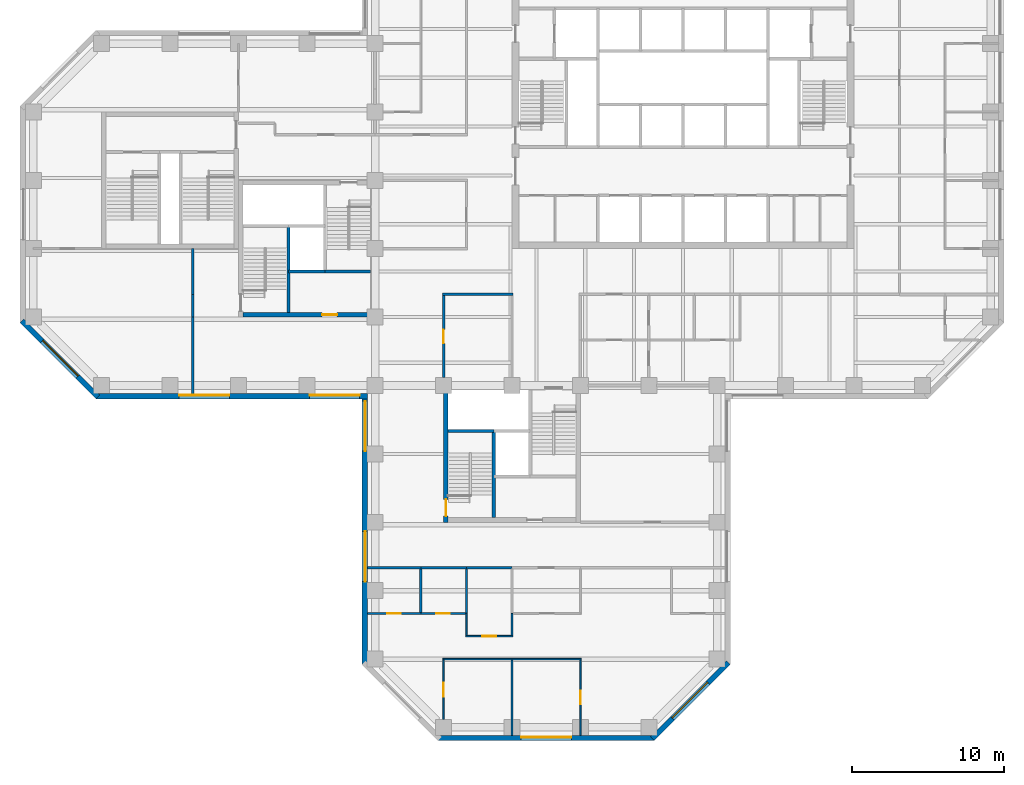
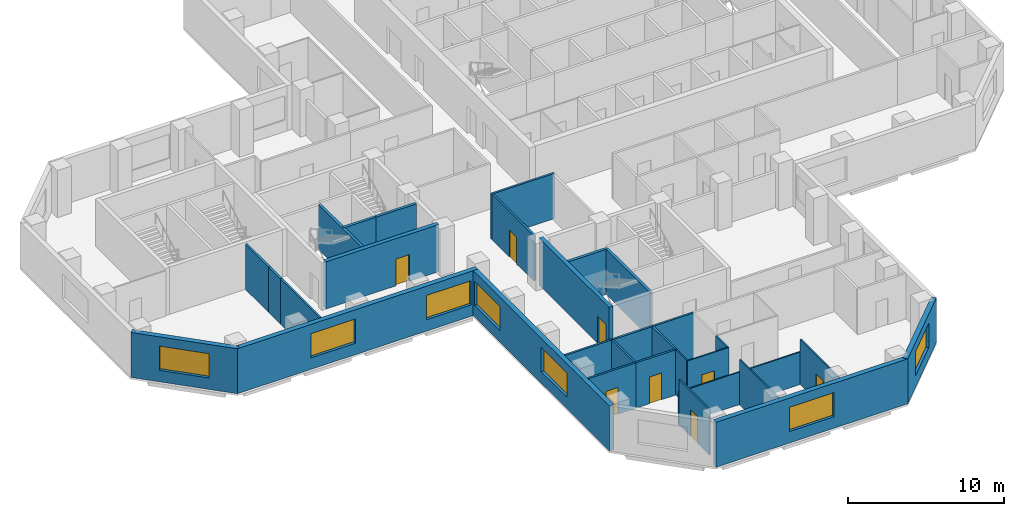
# One storey, part 3 of 10: 32 walls, 8 doors, 7 windows, 15 openings.
"""IFC4 building model written with IfcOpenShell, lengths in metres."""

from ifc_helpers import new_model, si_unit, direction, frame, frame_2d, origin, place, context, subcontext, project, spatial, rectangle, extrude, material, layer, layer_set, constituent, constituent_set, type_object, element, fill, save


model = new_model("IFC4")

# Units and contexts
model_context = context("Model", 3, precision=1e-05, world=origin(), true_north=direction((0.0, 1.0)))
body_context = subcontext(model_context, "Body", "Model", "MODEL_VIEW")
ifc_project = project(units=[si_unit("LENGTHUNIT", "METRE"), si_unit("AREAUNIT", "SQUARE_METRE"), si_unit("VOLUMEUNIT", "CUBIC_METRE"), si_unit("PLANEANGLEUNIT", "RADIAN"), si_unit("MASSUNIT", "GRAM", prefix="KILO")], contexts=[model_context])

# Site, building, storey
site_placement = place(None, origin())
site = spatial("IfcSite", under=ifc_project, at=site_placement, CompositionType="ELEMENT")
building_placement = place(site_placement, origin())
building = spatial("IfcBuilding", under=site, at=building_placement, Name="Quoin Convention Tower", CompositionType="ELEMENT")
storey_placement = place(building_placement, frame((0.0, 0.0, 90.0)))
storey = spatial("IfcBuildingStorey", under=building, at=storey_placement, Name="L23", CompositionType="ELEMENT", Elevation=90.0)

# Wall, opening, window
ifc_material_1 = material(Name="Brick masonry", Category="masonry")
ifc_layer_1 = layer(ifc_material_1, 0.35009765625)
ifc_layer_set_1 = layer_set([ifc_layer_1], Name="Brick masonry")
wall_type_1 = type_object("IfcWallType", Name="Brick facade wall", PredefinedType="STANDARD", material=ifc_layer_set_1)
wall_1_placement = place(storey_placement, frame((12.748779296875, 44.76123046875, 0.0), z_axis=(0.0, 0.0, 1.0), x_axis=(0.707106781187, -0.707106781187, 0.0)))
wall_1 = element("IfcWall", 1, at=wall_1_placement, inside=storey, type_object=wall_type_1, Name="fw-L23-13500_45000", PredefinedType="STANDARD", context=body_context, shape_type="SweptSolid", body=[
    extrude(rectangle(XDim=7.088623046875, YDim=0.35009765625, at=frame_2d((3.54443359375, 0.0))), origin(), (0.0, 0.0, 1.0), 3.52490234375),
])
opening_1_placement = place(wall_1_placement, frame((1.894287109375, 0.0, 0.89990234375)))
opening_1 = element("IfcOpeningElement", 2, at=opening_1_placement, cuts=wall_1, Name="Opening W-02", PredefinedType="OPENING", context=body_context, shape_type="SweptSolid", body=[
    extrude(rectangle(XDim=3.300048828125, YDim=1.89990234375, at=frame_2d((1.64990234375, 0.949951171875))), frame((0.0, 0.18505859375, 0.0), z_axis=(0.0, -1.0, 0.0), x_axis=(1.0, 0.0, 0.0)), (0.0, 0.0, 1.0), 0.3701171875),
])
ifc_material_2 = material(Name="Aluminium", Category="aluminium")
ifc_constituent_1 = constituent(ifc_material_2, Name="Frame")
ifc_material_3 = material(Name="Insulated glass", Category="glass")
ifc_constituent_2 = constituent(ifc_material_3, Name="Glazing")
ifc_constituent_set = constituent_set(constituents=[ifc_constituent_1, ifc_constituent_2], Name="Aluminium")
window_type = type_object("IfcWindowType", Name="Office window", PartitioningType="DOUBLE_PANEL_VERTICAL", PredefinedType="WINDOW", material=ifc_constituent_set)
window_1_placement = place(opening_1_placement, origin())
window_1 = element("IfcWindow", 3, at=window_1_placement, inside=storey, type_object=window_type, Name="win-L23-15255_42255", OverallHeight=1.89990234375, OverallWidth=3.300048828125, PartitioningType="SINGLE_PANEL", PredefinedType="WINDOW", context=body_context, shape_type="SweptSolid", body=[
    extrude(rectangle(XDim=3.300048828125, YDim=1.89990234375, at=frame_2d((1.64990234375, 0.949951171875))), frame((0.0, 0.0849609375, 0.0), z_axis=(0.0, -1.0, 0.0), x_axis=(1.0, 0.0, 0.0)), (0.0, 0.0, 1.0), 0.06005859375),
])
fill(opening_1, window_1)

# Wall, openings, windows
wall_2_placement = place(storey_placement, frame((17.6376953125, 39.800048828125, 0.0), z_axis=(0.0, 0.0, 1.0), x_axis=(1.0, 0.0, 0.0)))
wall_2 = element("IfcWall", 4, at=wall_2_placement, inside=storey, type_object=wall_type_1, Name="fw-L23-18000_40500", PredefinedType="STANDARD", context=body_context, shape_type="SweptSolid", body=[
    extrude(rectangle(XDim=17.83740234375, YDim=0.35009765625, at=frame_2d((8.918701171875, 0.0))), origin(), (0.0, 0.0, 1.0), 3.52490234375),
])
opening_2_placement = place(wall_2_placement, frame((5.46240234375, 0.0, 0.89990234375)))
opening_2 = element("IfcOpeningElement", 5, at=opening_2_placement, cuts=wall_2, Name="Opening W-02", PredefinedType="OPENING", context=body_context, shape_type="SweptSolid", body=[
    extrude(rectangle(XDim=3.300048828125, YDim=1.89990234375, at=frame_2d((1.64990234375, 0.949951171875))), frame((0.0, 0.18505859375, 0.0), z_axis=(0.0, -1.0, 0.0), x_axis=(1.0, 0.0, 0.0)), (0.0, 0.0, 1.0), 0.3701171875),
])
opening_3_placement = place(wall_2_placement, frame((14.037353515625, 0.0, 0.89990234375)))
opening_3 = element("IfcOpeningElement", 6, at=opening_3_placement, cuts=wall_2, Name="Opening W-02", PredefinedType="OPENING", context=body_context, shape_type="SweptSolid", body=[
    extrude(rectangle(XDim=3.300048828125, YDim=1.89990234375, at=frame_2d((1.64990234375, 0.949951171875))), frame((0.0, 0.18505859375, 0.0), z_axis=(0.0, -1.0, 0.0), x_axis=(1.0, 0.0, 0.0)), (0.0, 0.0, 1.0), 0.3701171875),
])
window_2_placement = place(opening_2_placement, origin())
window_2 = element("IfcWindow", 7, at=window_2_placement, inside=storey, type_object=window_type, Name="win-L23-24750_39800", OverallHeight=1.89990234375, OverallWidth=3.300048828125, PartitioningType="SINGLE_PANEL", PredefinedType="WINDOW", context=body_context, shape_type="SweptSolid", body=[
    extrude(rectangle(XDim=3.300048828125, YDim=1.89990234375, at=frame_2d((1.64990234375, 0.949951171875))), frame((0.0, 0.0849609375, 0.0), z_axis=(0.0, -1.0, 0.0), x_axis=(1.0, 0.0, 0.0)), (0.0, 0.0, 1.0), 0.06005859375),
])
fill(opening_2, window_2)
window_3_placement = place(opening_3_placement, origin())
window_3 = element("IfcWindow", 8, at=window_3_placement, inside=storey, type_object=window_type, Name="win-L23-33750_39800", OverallHeight=1.89990234375, OverallWidth=3.300048828125, PartitioningType="SINGLE_PANEL", PredefinedType="WINDOW", context=body_context, shape_type="SweptSolid", body=[
    extrude(rectangle(XDim=3.300048828125, YDim=1.89990234375, at=frame_2d((1.64990234375, 0.949951171875))), frame((0.0, 0.0849609375, 0.0), z_axis=(0.0, -1.0, 0.0), x_axis=(1.0, 0.0, 0.0)), (0.0, 0.0, 1.0), 0.06005859375),
])
fill(opening_3, window_3)

wall_3_placement = place(storey_placement, frame((35.300048828125, 39.97509765625, 0.0), z_axis=(0.0, 0.0, 1.0), x_axis=(0.0, -1.0, 0.0)))
wall_3 = element("IfcWall", 9, at=wall_3_placement, inside=storey, type_object=wall_type_1, Name="fw-L23-36000_40500", PredefinedType="STANDARD", context=body_context, shape_type="SweptSolid", body=[
    extrude(rectangle(XDim=17.83740234375, YDim=0.35009765625, at=frame_2d((8.918701171875, 0.0))), origin(), (0.0, 0.0, 1.0), 3.52490234375),
])
opening_4_placement = place(wall_3_placement, frame((0.5, 0.0, 0.89990234375)))
opening_4 = element("IfcOpeningElement", 10, at=opening_4_placement, cuts=wall_3, Name="Opening W-02", PredefinedType="OPENING", context=body_context, shape_type="SweptSolid", body=[
    extrude(rectangle(XDim=3.300048828125, YDim=1.89990234375, at=frame_2d((1.64990234375, 0.949951171875))), frame((0.0, 0.18505859375, 0.0), z_axis=(0.0, -1.0, 0.0), x_axis=(1.0, 0.0, 0.0)), (0.0, 0.0, 1.0), 0.3701171875),
])
opening_5_placement = place(wall_3_placement, frame((9.074951171875, 0.0, 0.89990234375)))
opening_5 = element("IfcOpeningElement", 11, at=opening_5_placement, cuts=wall_3, Name="Opening W-02", PredefinedType="OPENING", context=body_context, shape_type="SweptSolid", body=[
    extrude(rectangle(XDim=3.300048828125, YDim=1.89990234375, at=frame_2d((1.64990234375, 0.949951171875))), frame((0.0, 0.18505859375, 0.0), z_axis=(0.0, -1.0, 0.0), x_axis=(1.0, 0.0, 0.0)), (0.0, 0.0, 1.0), 0.3701171875),
])
window_4_placement = place(opening_4_placement, origin())
window_4 = element("IfcWindow", 12, at=window_4_placement, inside=storey, type_object=window_type, Name="win-L23-35300_38250", OverallHeight=1.89990234375, OverallWidth=3.300048828125, PartitioningType="SINGLE_PANEL", PredefinedType="WINDOW", context=body_context, shape_type="SweptSolid", body=[
    extrude(rectangle(XDim=3.300048828125, YDim=1.89990234375, at=frame_2d((1.64990234375, 0.949951171875))), frame((0.0, 0.0849609375, 0.0), z_axis=(0.0, -1.0, 0.0), x_axis=(1.0, 0.0, 0.0)), (0.0, 0.0, 1.0), 0.06005859375),
])
fill(opening_4, window_4)
window_5_placement = place(opening_5_placement, origin())
window_5 = element("IfcWindow", 13, at=window_5_placement, inside=storey, type_object=window_type, Name="win-L23-35300_29250", OverallHeight=1.89990234375, OverallWidth=3.300048828125, PartitioningType="SINGLE_PANEL", PredefinedType="WINDOW", context=body_context, shape_type="SweptSolid", body=[
    extrude(rectangle(XDim=3.300048828125, YDim=1.89990234375, at=frame_2d((1.64990234375, 0.949951171875))), frame((0.0, 0.0849609375, 0.0), z_axis=(0.0, -1.0, 0.0), x_axis=(1.0, 0.0, 0.0)), (0.0, 0.0, 1.0), 0.06005859375),
])
fill(opening_5, window_5)

# Wall, opening, window
wall_4_placement = place(storey_placement, frame((40.1376953125, 17.300048828125, 0.0), z_axis=(0.0, 0.0, 1.0), x_axis=(1.0, 0.0, 0.0)))
wall_4 = element("IfcWall", 14, at=wall_4_placement, inside=storey, type_object=wall_type_1, Name="fw-L23-40500_18000", PredefinedType="STANDARD", context=body_context, shape_type="SweptSolid", body=[
    extrude(rectangle(XDim=14.224609375, YDim=0.35009765625, at=frame_2d((7.1123046875, 0.0))), origin(), (0.0, 0.0, 1.0), 3.52490234375),
])
opening_6_placement = place(wall_4_placement, frame((5.46240234375, 0.0, 0.89990234375)))
opening_6 = element("IfcOpeningElement", 15, at=opening_6_placement, cuts=wall_4, Name="Opening W-02", PredefinedType="OPENING", context=body_context, shape_type="SweptSolid", body=[
    extrude(rectangle(XDim=3.300048828125, YDim=1.89990234375, at=frame_2d((1.64990234375, 0.949951171875))), frame((0.0, 0.18505859375, 0.0), z_axis=(0.0, -1.0, 0.0), x_axis=(1.0, 0.0, 0.0)), (0.0, 0.0, 1.0), 0.3701171875),
])
window_6_placement = place(opening_6_placement, origin())
window_6 = element("IfcWindow", 16, at=window_6_placement, inside=storey, type_object=window_type, Name="win-L23-47250_17300", OverallHeight=1.89990234375, OverallWidth=3.300048828125, PartitioningType="SINGLE_PANEL", PredefinedType="WINDOW", context=body_context, shape_type="SweptSolid", body=[
    extrude(rectangle(XDim=3.300048828125, YDim=1.89990234375, at=frame_2d((1.64990234375, 0.949951171875))), frame((0.0, 0.0849609375, 0.0), z_axis=(0.0, -1.0, 0.0), x_axis=(1.0, 0.0, 0.0)), (0.0, 0.0, 1.0), 0.06005859375),
])
fill(opening_6, window_6)

wall_5_placement = place(storey_placement, frame((54.23876953125, 17.248779296875, 0.0), z_axis=(0.0, 0.0, 1.0), x_axis=(0.707106781187, 0.707106781187, 0.0)))
wall_5 = element("IfcWall", 17, at=wall_5_placement, inside=storey, type_object=wall_type_1, Name="fw-L23-54000_18000", PredefinedType="STANDARD", context=body_context, shape_type="SweptSolid", body=[
    extrude(rectangle(XDim=7.088623046875, YDim=0.35009765625, at=frame_2d((3.54443359375, 0.0))), origin(), (0.0, 0.0, 1.0), 3.52490234375),
])
opening_7_placement = place(wall_5_placement, frame((1.894287109375, 0.0, 0.89990234375)))
opening_7 = element("IfcOpeningElement", 18, at=opening_7_placement, cuts=wall_5, Name="Opening W-02", PredefinedType="OPENING", context=body_context, shape_type="SweptSolid", body=[
    extrude(rectangle(XDim=3.300048828125, YDim=1.89990234375, at=frame_2d((1.64990234375, 0.949951171875))), frame((0.0, 0.18505859375, 0.0), z_axis=(0.0, -1.0, 0.0), x_axis=(1.0, 0.0, 0.0)), (0.0, 0.0, 1.0), 0.3701171875),
])
window_7_placement = place(opening_7_placement, origin())
window_7 = element("IfcWindow", 19, at=window_7_placement, inside=storey, type_object=window_type, Name="win-L23-56745_19755", OverallHeight=1.89990234375, OverallWidth=3.300048828125, PartitioningType="SINGLE_PANEL", PredefinedType="WINDOW", context=body_context, shape_type="SweptSolid", body=[
    extrude(rectangle(XDim=3.300048828125, YDim=1.89990234375, at=frame_2d((1.64990234375, 0.949951171875))), frame((0.0, 0.0849609375, 0.0), z_axis=(0.0, -1.0, 0.0), x_axis=(1.0, 0.0, 0.0)), (0.0, 0.0, 1.0), 0.06005859375),
])
fill(opening_7, window_7)

# Walls
ifc_material_4 = material(Name="Concrete C50", Category="concrete")
ifc_layer_2 = layer(ifc_material_4, 0.199951171875)
ifc_layer_set_2 = layer_set([ifc_layer_2], Name="Concrete C50")
wall_type_2 = type_object("IfcWallType", Name="Core shaft wall", PredefinedType="SOLIDWALL", material=ifc_layer_set_2)
wall_6_placement = place(storey_placement, frame((30.300048828125, 48.0, 0.0), z_axis=(0.0, 0.0, 1.0), x_axis=(1.0, 0.0, 0.0)))
element("IfcWall", 20, at=wall_6_placement, inside=storey, type_object=wall_type_2, Name="cr-P2-L23-h3000_3300", PredefinedType="SOLIDWALL", context=body_context, shape_type="SweptSolid", body=[
    extrude(rectangle(XDim=2.39990234375, YDim=0.199951171875, at=frame_2d((1.199951171875, 0.0))), origin(), (0.0, 0.0, 1.0), 3.550048828125),
])
wall_7_placement = place(storey_placement, frame((32.699951171875, 48.0, 0.0), z_axis=(0.0, 0.0, 1.0), x_axis=(1.0, 0.0, 0.0)))
element("IfcWall", 21, at=wall_7_placement, inside=storey, type_object=wall_type_2, Name="cr-P2-L23-h3000_5700", PredefinedType="SOLIDWALL", context=body_context, shape_type="SweptSolid", body=[
    extrude(rectangle(XDim=3.0, YDim=0.199951171875, at=frame_2d((1.5, 0.0))), origin(), (0.0, 0.0, 1.0), 3.550048828125),
])
wall_8_placement = place(storey_placement, frame((30.300048828125, 45.300048828125, 0.0), z_axis=(0.0, 0.0, 1.0), x_axis=(0.0, 1.0, 0.0)))
element("IfcWall", 22, at=wall_8_placement, inside=storey, type_object=wall_type_2, Name="cr-P2-L23-v3300_300", PredefinedType="SOLIDWALL", context=body_context, shape_type="SweptSolid", body=[
    extrude(rectangle(XDim=5.699951171875, YDim=0.199951171875, at=frame_2d((2.85009765625, 0.0))), origin(), (0.0, 0.0, 1.0), 3.550048828125),
])
wall_9_placement = place(storey_placement, frame((40.800048828125, 37.5, 0.0), z_axis=(0.0, 0.0, 1.0), x_axis=(1.0, 0.0, 0.0)))
element("IfcWall", 23, at=wall_9_placement, inside=storey, type_object=wall_type_2, Name="cr-P3-L23-h6000_300", PredefinedType="SOLIDWALL", context=body_context, shape_type="SweptSolid", body=[
    extrude(rectangle(XDim=3.0, YDim=0.199951171875, at=frame_2d((1.5, 0.0))), origin(), (0.0, 0.0, 1.0), 3.550048828125),
])
wall_10_placement = place(storey_placement, frame((43.800048828125, 31.800048828125, 0.0), z_axis=(0.0, 0.0, 1.0), x_axis=(0.0, 1.0, 0.0)))
element("IfcWall", 24, at=wall_10_placement, inside=storey, type_object=wall_type_2, Name="cr-P3-L23-v3300_300", PredefinedType="SOLIDWALL", context=body_context, shape_type="SweptSolid", body=[
    extrude(rectangle(XDim=5.699951171875, YDim=0.199951171875, at=frame_2d((2.85009765625, 0.0))), origin(), (0.0, 0.0, 1.0), 3.550048828125),
])
ifc_material_5 = material(Name="Plasterboard")
ifc_layer_3 = layer(ifc_material_5, 0.012451171875, Name="Finish")
ifc_material_6 = material(Name="Steel stud framing", Category="steel")
ifc_layer_4 = layer(ifc_material_6, 0.125, Name="Structure")
ifc_layer_5 = layer(ifc_material_5, 0.012451171875, Name="Finish")
ifc_layer_set_3 = layer_set([ifc_layer_3, ifc_layer_4, ifc_layer_5], Name="Steel stud framing")
wall_type_3 = type_object("IfcWallType", Name="Corridor wall 150", PredefinedType="PARTITIONING", material=ifc_layer_set_3)
wall_11_placement = place(storey_placement, frame((35.47509765625, 28.5, 0.0), z_axis=(0.0, 0.0, 1.0), x_axis=(1.0, 0.0, 0.0)))
element("IfcWall", 25, at=wall_11_placement, inside=storey, type_object=wall_type_3, Name="pw-L23-008", PredefinedType="PARTITIONING", context=body_context, shape_type="SweptSolid", body=[
    extrude(rectangle(XDim=3.52490234375, YDim=0.14990234375, at=frame_2d((1.762451171875, 0.0))), origin(), (0.0, 0.0, 1.0), 3.550048828125),
])
for number, where, z_axis, x_axis, name in (
    (26, (39.0, 28.5, 0.0), (0.0, 0.0, 1.0), (1.0, 0.0, 0.0), "pw-L23-009"),
    (27, (42.0, 28.5, 0.0), (0.0, 0.0, 1.0), (1.0, 0.0, 0.0), "pw-L23-010"),
):
    element("IfcWall", number, at=place(storey_placement, frame(where, z_axis=z_axis, x_axis=x_axis)), inside=storey, type_object=wall_type_3, Name=name, PredefinedType="PARTITIONING", context=body_context, shape_type="SweptSolid", body=[
        extrude(rectangle(XDim=3.0, YDim=0.14990234375, at=frame_2d((1.5, 0.0))), origin(), (0.0, 0.0, 1.0), 3.550048828125),
    ])
wall_12_placement = place(storey_placement, frame((40.425048828125, 46.5, 0.0), z_axis=(0.0, 0.0, 1.0), x_axis=(1.0, 0.0, 0.0)))
element("IfcWall", 28, at=wall_12_placement, inside=storey, type_object=wall_type_3, Name="pw-L23-024", PredefinedType="PARTITIONING", context=body_context, shape_type="SweptSolid", body=[
    extrude(rectangle(XDim=4.64990234375, YDim=0.14990234375, at=frame_2d((2.324951171875, 0.0))), origin(), (0.0, 0.0, 1.0), 3.550048828125),
])
wall_13_placement = place(storey_placement, frame((24.0, 39.97509765625, 0.0), z_axis=(0.0, 0.0, 1.0), x_axis=(0.0, 1.0, 0.0)))
element("IfcWall", 29, at=wall_13_placement, inside=storey, type_object=wall_type_3, Name="pw-L23-067", PredefinedType="PARTITIONING", context=body_context, shape_type="SweptSolid", body=[
    extrude(rectangle(XDim=5.02490234375, YDim=0.14990234375, at=frame_2d((2.512451171875, 0.0))), origin(), (0.0, 0.0, 1.0), 3.550048828125),
])

# Wall, opening, door
wall_14_placement = place(storey_placement, frame((40.5, 41.02490234375, 0.0), z_axis=(0.0, 0.0, 1.0), x_axis=(0.0, 1.0, 0.0)))
wall_14 = element("IfcWall", 30, at=wall_14_placement, inside=storey, type_object=wall_type_3, Name="pw-L23-068", PredefinedType="PARTITIONING", context=body_context, shape_type="SweptSolid", body=[
    extrude(rectangle(XDim=5.400146484375, YDim=0.14990234375, at=frame_2d((2.7001953125, 0.0))), origin(), (0.0, 0.0, 1.0), 3.550048828125),
])
opening_8_placement = place(wall_14_placement, frame((2.25, 0.0, 0.0)))
opening_8 = element("IfcOpeningElement", 31, at=opening_8_placement, cuts=wall_14, Name="Opening DOL2-21", PredefinedType="OPENING", context=body_context, shape_type="SweptSolid", body=[
    extrude(rectangle(XDim=0.89990234375, YDim=2.10009765625, at=frame_2d((0.449951171875, 1.050048828125))), frame((0.0, 0.0849609375, 0.0), z_axis=(0.0, -1.0, 0.0), x_axis=(1.0, 0.0, 0.0)), (0.0, 0.0, 1.0), 0.169921875),
])
ifc_material_7 = material(Name="Steel door leaf", Category="steel")
door_type_1 = type_object("IfcDoorType", Name="Office door 900 x 2100", OperationType="SINGLE_SWING_RIGHT", PredefinedType="DOOR", material=ifc_material_7)
door_1_placement = place(opening_8_placement, frame((0.89990234375, 0.0, 0.0), z_axis=(0.0, 0.0, 1.0), x_axis=(-1.0, 0.0, 0.0)))
door_1 = element("IfcDoor", 32, at=door_1_placement, inside=storey, type_object=door_type_1, Name="dr-L23-02", OperationType="SINGLE_SWING_LEFT", OverallHeight=2.10009765625, OverallWidth=0.89990234375, PredefinedType="DOOR", context=body_context, shape_type="SweptSolid", body=[
    extrude(rectangle(XDim=0.89990234375, YDim=2.10009765625, at=frame_2d((0.449951171875, 1.050048828125))), frame((0.0, 0.02490234375, 0.0), z_axis=(0.0, -1.0, 0.0), x_axis=(1.0, 0.0, 0.0)), (0.0, 0.0, 1.0), 0.050048828125),
])
fill(opening_8, door_1)

# Walls
wall_15_placement = place(storey_placement, frame((24.0, 45.0, 0.0), z_axis=(0.0, 0.0, 1.0), x_axis=(0.0, 1.0, 0.0)))
element("IfcWall", 33, at=wall_15_placement, inside=storey, type_object=wall_type_3, Name="pw-L23-077", PredefinedType="PARTITIONING", context=body_context, shape_type="SweptSolid", body=[
    extrude(rectangle(XDim=1.5, YDim=0.14990234375, at=frame_2d((0.75, 0.0))), origin(), (0.0, 0.0, 1.0), 3.550048828125),
])
wall_16_placement = place(storey_placement, frame((24.0, 46.5, 0.0), z_axis=(0.0, 0.0, 1.0), x_axis=(0.0, 1.0, 0.0)))
element("IfcWall", 34, at=wall_16_placement, inside=storey, type_object=wall_type_3, Name="pw-L23-079", PredefinedType="PARTITIONING", context=body_context, shape_type="SweptSolid", body=[
    extrude(rectangle(XDim=3.0, YDim=0.14990234375, at=frame_2d((1.5, 0.0))), origin(), (0.0, 0.0, 1.0), 3.550048828125),
])

# Wall, opening, door
ifc_material_8 = material(Name="Concrete C65", Category="concrete")
ifc_layer_6 = layer(ifc_material_8, 0.300048828125)
ifc_layer_set_4 = layer_set([ifc_layer_6], Name="Concrete C65")
wall_type_4 = type_object("IfcWallType", Name="RC CORE WALL 300 C65", PredefinedType="SHEAR", material=ifc_layer_set_4)
wall_17_placement = place(storey_placement, frame((27.300048828125, 45.14990234375, 0.0), z_axis=(0.0, 0.0, 1.0), x_axis=(1.0, 0.0, 0.0)))
wall_17 = element("IfcWall", 35, at=wall_17_placement, inside=storey, type_object=wall_type_4, Name="cwl-P2-L23-S", PredefinedType="SHEAR", context=body_context, shape_type="SweptSolid", body=[
    extrude(rectangle(XDim=8.39990234375, YDim=0.300048828125, at=frame_2d((4.199951171875, 0.0))), origin(), (0.0, 0.0, 1.0), 3.699951171875),
])
opening_9_placement = place(wall_17_placement, frame((5.199951171875, 0.0, 0.0)))
opening_9 = element("IfcOpeningElement", 36, at=opening_9_placement, cuts=wall_17, Name="Opening DCV2-41", PredefinedType="OPENING", context=body_context, shape_type="SweptSolid", body=[
    extrude(rectangle(XDim=1.0, YDim=2.10009765625, at=frame_2d((0.5, 1.050048828125))), frame((0.0, 0.159912109375, 0.0), z_axis=(0.0, -1.0, 0.0), x_axis=(1.0, 0.0, 0.0)), (0.0, 0.0, 1.0), 0.320068359375),
])
door_type_2 = type_object("IfcDoorType", Name="Service door 1000 x 2100", OperationType="SINGLE_SWING_LEFT", PredefinedType="DOOR", material=ifc_material_7)
door_2_placement = place(opening_9_placement, origin())
door_2 = element("IfcDoor", 37, at=door_2_placement, inside=storey, type_object=door_type_2, Name="cd-P2-L23-R2-S", OperationType="SINGLE_SWING_LEFT", OverallHeight=2.10009765625, OverallWidth=1.0, PredefinedType="DOOR", context=body_context, shape_type="SweptSolid", body=[
    extrude(rectangle(XDim=1.0, YDim=2.10009765625, at=frame_2d((0.5, 1.050048828125))), frame((0.0, 0.02490234375, 0.0), z_axis=(0.0, -1.0, 0.0), x_axis=(1.0, 0.0, 0.0)), (0.0, 0.0, 1.0), 0.050048828125),
])
fill(opening_9, door_2)

wall_18_placement = place(storey_placement, frame((40.64990234375, 31.5, 0.0), z_axis=(0.0, 0.0, 1.0), x_axis=(0.0, 1.0, 0.0)))
wall_18 = element("IfcWall", 38, at=wall_18_placement, inside=storey, type_object=wall_type_4, Name="cwl-P3-L23-W", PredefinedType="SHEAR", context=body_context, shape_type="SweptSolid", body=[
    extrude(rectangle(XDim=9.0, YDim=0.300048828125, at=frame_2d((4.5, 0.0))), origin(), (0.0, 0.0, 1.0), 3.699951171875),
])
opening_10_placement = place(wall_18_placement, frame((0.39990234375, 0.0, 0.0)))
opening_10 = element("IfcOpeningElement", 39, at=opening_10_placement, cuts=wall_18, Name="Opening SD5", PredefinedType="OPENING", context=body_context, shape_type="SweptSolid", body=[
    extrude(rectangle(XDim=1.10009765625, YDim=2.10009765625, at=frame_2d((0.550048828125, 1.050048828125))), frame((0.0, 0.159912109375, 0.0), z_axis=(0.0, -1.0, 0.0), x_axis=(1.0, 0.0, 0.0)), (0.0, 0.0, 1.0), 0.320068359375),
])
door_type_3 = type_object("IfcDoorType", Name="Stair door 1100 x 2100", OperationType="SINGLE_SWING_RIGHT", PredefinedType="DOOR", material=ifc_material_7)
door_3_placement = place(opening_10_placement, frame((1.10009765625, 0.0, 0.0), z_axis=(0.0, 0.0, 1.0), x_axis=(-1.0, 0.0, 0.0)))
door_3 = element("IfcDoor", 40, at=door_3_placement, inside=storey, type_object=door_type_3, Name="cd-P3-L23-SA-W", OperationType="SINGLE_SWING_RIGHT", OverallHeight=2.10009765625, OverallWidth=1.10009765625, PredefinedType="DOOR", context=body_context, shape_type="SweptSolid", body=[
    extrude(rectangle(XDim=1.10009765625, YDim=2.10009765625, at=frame_2d((0.550048828125, 1.050048828125))), frame((0.0, 0.02490234375, 0.0), z_axis=(0.0, -1.0, 0.0), x_axis=(1.0, 0.0, 0.0)), (0.0, 0.0, 1.0), 0.050048828125),
])
fill(opening_10, door_3)

ifc_layer_7 = layer(ifc_material_5, 0.012451171875, Name="Finish")
ifc_layer_8 = layer(ifc_material_6, 0.074951171875, Name="Structure")
ifc_layer_9 = layer(ifc_material_5, 0.012451171875, Name="Finish")
ifc_layer_set_5 = layer_set([ifc_layer_7, ifc_layer_8, ifc_layer_9], Name="Steel stud framing")
wall_type_5 = type_object("IfcWallType", Name="Stud partition 100", PredefinedType="PARTITIONING", material=ifc_layer_set_5)
wall_19_placement = place(storey_placement, frame((41.949951171875, 24.0, 0.0), z_axis=(0.0, 0.0, 1.0), x_axis=(1.0, 0.0, 0.0)))
wall_19 = element("IfcWall", 41, at=wall_19_placement, inside=storey, type_object=wall_type_5, Name="pw-L23-003", PredefinedType="PARTITIONING", context=body_context, shape_type="SweptSolid", body=[
    extrude(rectangle(XDim=3.10009765625, YDim=0.10009765625, at=frame_2d((1.550048828125, 0.0))), origin(), (0.0, 0.0, 1.0), 3.550048828125),
])
opening_11_placement = place(wall_19_placement, frame((1.10009765625, 0.0, 0.0)))
opening_11 = element("IfcOpeningElement", 42, at=opening_11_placement, cuts=wall_19, Name="Opening DOL2-01", PredefinedType="OPENING", context=body_context, shape_type="SweptSolid", body=[
    extrude(rectangle(XDim=0.89990234375, YDim=2.10009765625, at=frame_2d((0.449951171875, 1.050048828125))), frame((0.0, 0.06005859375, 0.0), z_axis=(0.0, -1.0, 0.0), x_axis=(1.0, 0.0, 0.0)), (0.0, 0.0, 1.0), 0.1201171875),
])
door_4_placement = place(opening_11_placement, frame((0.89990234375, 0.0, 0.0), z_axis=(0.0, 0.0, 1.0), x_axis=(-1.0, 0.0, 0.0)))
door_4 = element("IfcDoor", 43, at=door_4_placement, inside=storey, type_object=door_type_1, Name="dr-L23-18", OperationType="SINGLE_SWING_LEFT", OverallHeight=2.10009765625, OverallWidth=0.89990234375, PredefinedType="DOOR", context=body_context, shape_type="SweptSolid", body=[
    extrude(rectangle(XDim=0.89990234375, YDim=2.10009765625, at=frame_2d((0.449951171875, 1.050048828125))), frame((0.0, 0.02490234375, 0.0), z_axis=(0.0, -1.0, 0.0), x_axis=(1.0, 0.0, 0.0)), (0.0, 0.0, 1.0), 0.050048828125),
])
fill(opening_11, door_4)

# Wall
wall_20_placement = place(storey_placement, frame((45.0, 17.47509765625, 0.0), z_axis=(0.0, 0.0, 1.0), x_axis=(0.0, 1.0, 0.0)))
element("IfcWall", 44, at=wall_20_placement, inside=storey, type_object=wall_type_5, Name="pw-L23-057", PredefinedType="PARTITIONING", context=body_context, shape_type="SweptSolid", body=[
    extrude(rectangle(XDim=4.974853515625, YDim=0.10009765625, at=frame_2d((2.4873046875, 0.0))), origin(), (0.0, 0.0, 1.0), 3.550048828125),
])

# Wall, opening, door
wall_21_placement = place(storey_placement, frame((49.5, 17.47509765625, 0.0), z_axis=(0.0, 0.0, 1.0), x_axis=(0.0, 1.0, 0.0)))
wall_21 = element("IfcWall", 45, at=wall_21_placement, inside=storey, type_object=wall_type_5, Name="pw-L23-058", PredefinedType="PARTITIONING", context=body_context, shape_type="SweptSolid", body=[
    extrude(rectangle(XDim=4.974853515625, YDim=0.10009765625, at=frame_2d((2.4873046875, 0.0))), origin(), (0.0, 0.0, 1.0), 3.550048828125),
])
opening_12_placement = place(wall_21_placement, frame((2.050048828125, 0.0, 0.0)))
opening_12 = element("IfcOpeningElement", 46, at=opening_12_placement, cuts=wall_21, Name="Opening DOL2-19", PredefinedType="OPENING", context=body_context, shape_type="SweptSolid", body=[
    extrude(rectangle(XDim=0.89990234375, YDim=2.10009765625, at=frame_2d((0.449951171875, 1.050048828125))), frame((0.0, 0.06005859375, 0.0), z_axis=(0.0, -1.0, 0.0), x_axis=(1.0, 0.0, 0.0)), (0.0, 0.0, 1.0), 0.1201171875),
])
door_5_placement = place(opening_12_placement, frame((0.89990234375, 0.0, 0.0), z_axis=(0.0, 0.0, 1.0), x_axis=(-1.0, 0.0, 0.0)))
door_5 = element("IfcDoor", 47, at=door_5_placement, inside=storey, type_object=door_type_1, Name="dr-L23-16", OperationType="SINGLE_SWING_LEFT", OverallHeight=2.10009765625, OverallWidth=0.89990234375, PredefinedType="DOOR", context=body_context, shape_type="SweptSolid", body=[
    extrude(rectangle(XDim=0.89990234375, YDim=2.10009765625, at=frame_2d((0.449951171875, 1.050048828125))), frame((0.0, 0.02490234375, 0.0), z_axis=(0.0, -1.0, 0.0), x_axis=(1.0, 0.0, 0.0)), (0.0, 0.0, 1.0), 0.050048828125),
])
fill(opening_12, door_5)

wall_22_placement = place(storey_placement, frame((40.5, 18.52490234375, 0.0), z_axis=(0.0, 0.0, 1.0), x_axis=(0.0, 1.0, 0.0)))
wall_22 = element("IfcWall", 48, at=wall_22_placement, inside=storey, type_object=wall_type_5, Name="pw-L23-059", PredefinedType="PARTITIONING", context=body_context, shape_type="SweptSolid", body=[
    extrude(rectangle(XDim=3.925048828125, YDim=0.10009765625, at=frame_2d((1.96240234375, 0.0))), origin(), (0.0, 0.0, 1.0), 3.550048828125),
])
opening_13_placement = place(wall_22_placement, frame((1.5, 0.0, 0.0)))
opening_13 = element("IfcOpeningElement", 49, at=opening_13_placement, cuts=wall_22, Name="Opening DOL2-20", PredefinedType="OPENING", context=body_context, shape_type="SweptSolid", body=[
    extrude(rectangle(XDim=0.89990234375, YDim=2.10009765625, at=frame_2d((0.449951171875, 1.050048828125))), frame((0.0, 0.06005859375, 0.0), z_axis=(0.0, -1.0, 0.0), x_axis=(1.0, 0.0, 0.0)), (0.0, 0.0, 1.0), 0.1201171875),
])
door_6_placement = place(opening_13_placement, origin())
door_6 = element("IfcDoor", 50, at=door_6_placement, inside=storey, type_object=door_type_1, Name="dr-L23-15", OperationType="SINGLE_SWING_RIGHT", OverallHeight=2.10009765625, OverallWidth=0.89990234375, PredefinedType="DOOR", context=body_context, shape_type="SweptSolid", body=[
    extrude(rectangle(XDim=0.89990234375, YDim=2.10009765625, at=frame_2d((0.449951171875, 1.050048828125))), frame((0.0, 0.02490234375, 0.0), z_axis=(0.0, -1.0, 0.0), x_axis=(1.0, 0.0, 0.0)), (0.0, 0.0, 1.0), 0.050048828125),
])
fill(opening_13, door_6)

# Walls
for number, where, z_axis, x_axis, name in (
    (51, (42.0, 24.050048828125, 0.0), (0.0, 0.0, 1.0), (0.0, 1.0, 0.0), "pw-L23-060"),
    (52, (45.0, 24.050048828125, 0.0), (0.0, 0.0, 1.0), (0.0, 1.0, 0.0), "pw-L23-061"),
):
    element("IfcWall", number, at=place(storey_placement, frame(where, z_axis=z_axis, x_axis=x_axis)), inside=storey, type_object=wall_type_5, Name=name, PredefinedType="PARTITIONING", context=body_context, shape_type="SweptSolid", body=[
        extrude(rectangle(XDim=1.449951171875, YDim=0.10009765625, at=frame_2d((0.72509765625, 0.0))), origin(), (0.0, 0.0, 1.0), 3.550048828125),
    ])
ifc_layer_10 = layer(ifc_material_5, 0.012451171875, Name="Finish")
ifc_layer_11 = layer(ifc_material_6, 0.074951171875, Name="Structure")
ifc_layer_12 = layer(ifc_material_5, 0.012451171875, Name="Finish")
ifc_layer_set_6 = layer_set([ifc_layer_10, ifc_layer_11, ifc_layer_12], Name="Steel stud framing")
wall_type_6 = type_object("IfcWallType", Name="Stud partition 100 under beam 1000", PredefinedType="PARTITIONING", material=ifc_layer_set_6)
for number, where, z_axis, x_axis, name in (
    (53, (40.449951171875, 22.5, 0.0), (0.0, 0.0, 1.0), (1.0, 0.0, 0.0), "pw-L23-001"),
    (54, (45.0, 22.5, 0.0), (0.0, 0.0, 1.0), (1.0, 0.0, 0.0), "pw-L23-002"),
):
    element("IfcWall", number, at=place(storey_placement, frame(where, z_axis=z_axis, x_axis=x_axis)), inside=storey, type_object=wall_type_6, Name=name, PredefinedType="PARTITIONING", context=body_context, shape_type="SweptSolid", body=[
        extrude(rectangle(XDim=4.550048828125, YDim=0.10009765625, at=frame_2d((2.27490234375, 0.0))), origin(), (0.0, 0.0, 1.0), 2.550048828125),
    ])

# Wall, opening, door
ifc_layer_13 = layer(ifc_material_5, 0.012451171875, Name="Finish")
ifc_layer_14 = layer(ifc_material_6, 0.125, Name="Structure")
ifc_layer_15 = layer(ifc_material_5, 0.012451171875, Name="Finish")
ifc_layer_set_7 = layer_set([ifc_layer_13, ifc_layer_14, ifc_layer_15], Name="Steel stud framing")
wall_type_7 = type_object("IfcWallType", Name="Wet area partition 150", PredefinedType="PARTITIONING", material=ifc_layer_set_7)
wall_23_placement = place(storey_placement, frame((35.47509765625, 25.5, 0.0), z_axis=(0.0, 0.0, 1.0), x_axis=(1.0, 0.0, 0.0)))
wall_23 = element("IfcWall", 55, at=wall_23_placement, inside=storey, type_object=wall_type_7, Name="pw-L23-004", PredefinedType="PARTITIONING", context=body_context, shape_type="SweptSolid", body=[
    extrude(rectangle(XDim=3.52490234375, YDim=0.14990234375, at=frame_2d((1.762451171875, 0.0))), origin(), (0.0, 0.0, 1.0), 3.550048828125),
])
opening_14_placement = place(wall_23_placement, frame((1.300048828125, 0.0, 0.0)))
opening_14 = element("IfcOpeningElement", 56, at=opening_14_placement, cuts=wall_23, Name="Opening DOL2-02", PredefinedType="OPENING", context=body_context, shape_type="SweptSolid", body=[
    extrude(rectangle(XDim=0.89990234375, YDim=2.10009765625, at=frame_2d((0.449951171875, 1.050048828125))), frame((0.0, 0.0849609375, 0.0), z_axis=(0.0, -1.0, 0.0), x_axis=(1.0, 0.0, 0.0)), (0.0, 0.0, 1.0), 0.169921875),
])
door_7_placement = place(opening_14_placement, frame((0.89990234375, 0.0, 0.0), z_axis=(0.0, 0.0, 1.0), x_axis=(-1.0, 0.0, 0.0)))
door_7 = element("IfcDoor", 57, at=door_7_placement, inside=storey, type_object=door_type_1, Name="dr-L23-19", OperationType="SINGLE_SWING_LEFT", OverallHeight=2.10009765625, OverallWidth=0.89990234375, PredefinedType="DOOR", context=body_context, shape_type="SweptSolid", body=[
    extrude(rectangle(XDim=0.89990234375, YDim=2.10009765625, at=frame_2d((0.449951171875, 1.050048828125))), frame((0.0, 0.02490234375, 0.0), z_axis=(0.0, -1.0, 0.0), x_axis=(1.0, 0.0, 0.0)), (0.0, 0.0, 1.0), 0.050048828125),
])
fill(opening_14, door_7)

wall_24_placement = place(storey_placement, frame((39.0, 25.5, 0.0), z_axis=(0.0, 0.0, 1.0), x_axis=(1.0, 0.0, 0.0)))
wall_24 = element("IfcWall", 58, at=wall_24_placement, inside=storey, type_object=wall_type_7, Name="pw-L23-005", PredefinedType="PARTITIONING", context=body_context, shape_type="SweptSolid", body=[
    extrude(rectangle(XDim=2.925048828125, YDim=0.14990234375, at=frame_2d((1.46240234375, 0.0))), origin(), (0.0, 0.0, 1.0), 3.550048828125),
])
opening_15_placement = place(wall_24_placement, frame((1.0, 0.0, 0.0)))
opening_15 = element("IfcOpeningElement", 59, at=opening_15_placement, cuts=wall_24, Name="Opening DOL2-03", PredefinedType="OPENING", context=body_context, shape_type="SweptSolid", body=[
    extrude(rectangle(XDim=0.89990234375, YDim=2.10009765625, at=frame_2d((0.449951171875, 1.050048828125))), frame((0.0, 0.0849609375, 0.0), z_axis=(0.0, -1.0, 0.0), x_axis=(1.0, 0.0, 0.0)), (0.0, 0.0, 1.0), 0.169921875),
])
door_8_placement = place(opening_15_placement, frame((0.89990234375, 0.0, 0.0), z_axis=(0.0, 0.0, 1.0), x_axis=(-1.0, 0.0, 0.0)))
door_8 = element("IfcDoor", 60, at=door_8_placement, inside=storey, type_object=door_type_1, Name="dr-L23-14", OperationType="SINGLE_SWING_LEFT", OverallHeight=2.10009765625, OverallWidth=0.89990234375, PredefinedType="DOOR", context=body_context, shape_type="SweptSolid", body=[
    extrude(rectangle(XDim=0.89990234375, YDim=2.10009765625, at=frame_2d((0.449951171875, 1.050048828125))), frame((0.0, 0.02490234375, 0.0), z_axis=(0.0, -1.0, 0.0), x_axis=(1.0, 0.0, 0.0)), (0.0, 0.0, 1.0), 0.050048828125),
])
fill(opening_15, door_8)

# Walls
wall_25_placement = place(storey_placement, frame((42.0, 25.5, 0.0), z_axis=(0.0, 0.0, 1.0), x_axis=(0.0, 1.0, 0.0)))
element("IfcWall", 61, at=wall_25_placement, inside=storey, type_object=wall_type_7, Name="pw-L23-062", PredefinedType="PARTITIONING", context=body_context, shape_type="SweptSolid", body=[
    extrude(rectangle(XDim=2.925048828125, YDim=0.14990234375, at=frame_2d((1.46240234375, 0.0))), origin(), (0.0, 0.0, 1.0), 3.550048828125),
])
wall_26_placement = place(storey_placement, frame((39.0, 25.574951171875, 0.0), z_axis=(0.0, 0.0, 1.0), x_axis=(0.0, 1.0, 0.0)))
element("IfcWall", 62, at=wall_26_placement, inside=storey, type_object=wall_type_7, Name="pw-L23-065", PredefinedType="PARTITIONING", context=body_context, shape_type="SweptSolid", body=[
    extrude(rectangle(XDim=2.85009765625, YDim=0.14990234375, at=frame_2d((1.425048828125, 0.0))), origin(), (0.0, 0.0, 1.0), 3.550048828125),
])

save(model, "model.ifc")
